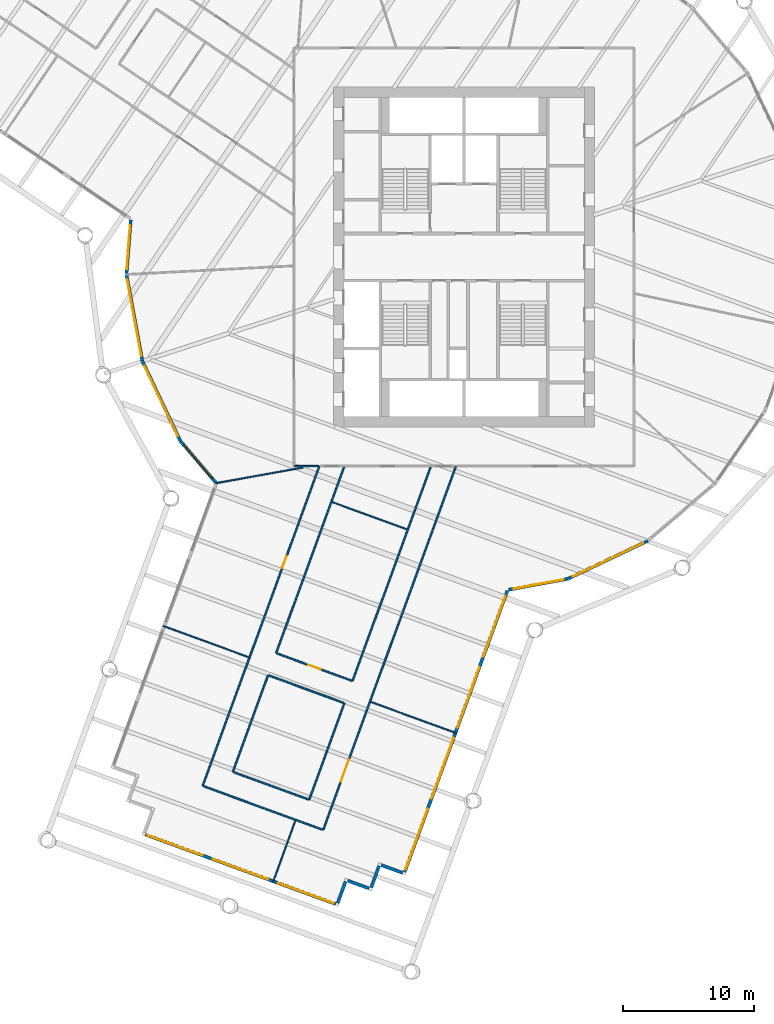
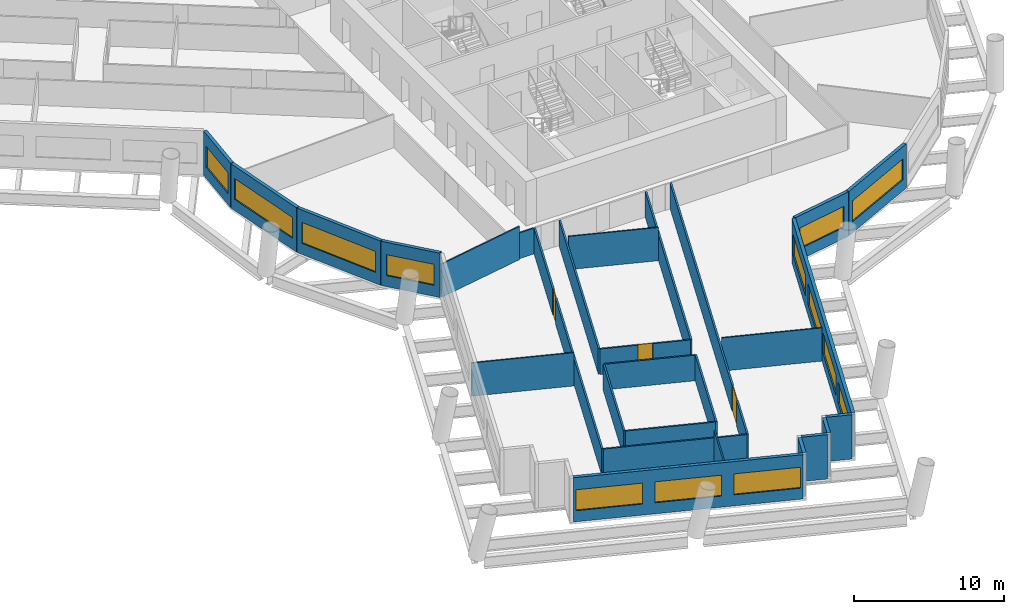
# One storey, part 3 of 13: 28 walls, 13 windows, 3 doors, 16 openings.
"""IFC4 building model written with IfcOpenShell, lengths in metres."""

from ifc_helpers import new_model, si_unit, direction, frame, frame_2d, origin, place, context, subcontext, project, spatial, rectangle, extrude, material, layer, layer_set, type_object, element, fill, save


model = new_model("IFC4")

# Units and contexts
model_context = context("Model", 3, precision=1e-05, world=origin(), true_north=direction((0.0, 1.0)))
body_context = subcontext(model_context, "Body", "Model", "MODEL_VIEW")
ifc_project = project(units=[si_unit("LENGTHUNIT", "METRE"), si_unit("AREAUNIT", "SQUARE_METRE"), si_unit("VOLUMEUNIT", "CUBIC_METRE"), si_unit("PLANEANGLEUNIT", "RADIAN"), si_unit("MASSUNIT", "GRAM", prefix="KILO")], contexts=[model_context])

# Site, building, storey
site_placement = place(None, origin())
site = spatial("IfcSite", under=ifc_project, at=site_placement, CompositionType="ELEMENT")
building_placement = place(site_placement, origin())
building = spatial("IfcBuilding", under=site, at=building_placement, Name="Tarsis Ring Headquarters", CompositionType="ELEMENT")
storey_placement = place(building_placement, frame((0.0, 0.0, 135.699951171875)))
storey = spatial("IfcBuildingStorey", under=building, at=storey_placement, Name="L31", CompositionType="ELEMENT", Elevation=135.699951171875)

# Walls
ifc_material_1 = material(Name="Gypsum board on steel studs", Category="steel")
ifc_layer_1 = layer(ifc_material_1, 0.10009765625)
ifc_layer_set_1 = layer_set([ifc_layer_1], Name="FL partition 100 unrated")
wall_type_1 = type_object("IfcWallType", Name="FL partition 100 unrated", PredefinedType="PARTITIONING", material=ifc_layer_set_1)
wall_1_placement = place(storey_placement, frame((-19.014892578125, -17.306884765625, 0.0), z_axis=(0.0, 0.0, 1.0), x_axis=(0.984225725022, 0.176917275031, 0.0)))
element("IfcWall", 1, at=wall_1_placement, inside=storey, type_object=wall_type_1, Name="Partition PW3", PredefinedType="PARTITIONING", context=body_context, shape_type="SweptSolid", body=[
    extrude(rectangle(XDim=6.8017578125, YDim=0.10009765625, at=frame_2d((3.40087890625, 0.0))), origin(), (0.0, 0.0, 1.0), 2.699951171875),
])
for number, where, z_axis, x_axis, name in (
    (2, (-23.02783203125, -28.2236328125, 0.0), (0.0, 0.0, 1.0), (0.939338511837, -0.342991487038, 0.0), "Partition PW3"),
    (3, (-7.12841796875, -34.0400390625, 0.0), (0.0, 0.0, 1.0), (0.939327226052, -0.343022393434, 0.0), "Partition PW3"),
):
    element("IfcWall", number, at=place(storey_placement, frame(where, z_axis=z_axis, x_axis=x_axis)), inside=storey, type_object=wall_type_1, Name=name, PredefinedType="PARTITIONING", context=body_context, shape_type="SweptSolid", body=[
        extrude(rectangle(XDim=6.969970703125, YDim=0.10009765625, at=frame_2d((3.48486328125, 0.0))), origin(), (0.0, 0.0, 1.0), 2.699951171875),
    ])
wall_2_placement = place(storey_placement, frame((-10.082763671875, -18.7490234375, 0.0), z_axis=(0.0, 0.0, 1.0), x_axis=(0.939335348052, -0.343000151458, 0.0)))
element("IfcWall", 4, at=wall_2_placement, inside=storey, type_object=wall_type_1, Name="Partition PW3", PredefinedType="PARTITIONING", context=body_context, shape_type="SweptSolid", body=[
    extrude(rectangle(XDim=6.080078125, YDim=0.10009765625, at=frame_2d((3.0400390625, 0.0))), origin(), (0.0, 0.0, 1.0), 2.699951171875),
])
wall_3_placement = place(storey_placement, frame((-14.625, -47.835693359375, 0.0), z_axis=(0.0, 0.0, 1.0), x_axis=(0.342998668221, 0.939335889657, 0.0)))
element("IfcWall", 5, at=wall_3_placement, inside=storey, type_object=wall_type_1, Name="Partition PW3", PredefinedType="PARTITIONING", context=body_context, shape_type="SweptSolid", body=[
    extrude(rectangle(XDim=5.01025390625, YDim=0.10009765625, at=frame_2d((2.505126953125, 0.0))), origin(), (0.0, 0.0, 1.0), 2.699951171875),
])

# Wall, opening, door
ifc_layer_2 = layer(ifc_material_1, 0.125)
ifc_layer_set_2 = layer_set([ifc_layer_2], Name="FL partition 125 EI 60 H2080")
wall_type_2 = type_object("IfcWallType", Name="FL partition 125 EI 60 H2080", PredefinedType="PARTITIONING", material=ifc_layer_set_2)
wall_4_placement = place(storey_placement, frame((-10.778564453125, -43.83203125, 0.0), z_axis=(0.0, 0.0, 1.0), x_axis=(0.343005063217, 0.939333554499, 0.0)))
wall_4 = element("IfcWall", 6, at=wall_4_placement, inside=storey, type_object=wall_type_2, Name="Partition PW1H208", PredefinedType="PARTITIONING", context=body_context, shape_type="SweptSolid", body=[
    extrude(rectangle(XDim=29.629638671875, YDim=0.125, at=frame_2d((14.81494140625, 0.0))), origin(), (0.0, 0.0, 1.0), 2.080078125),
])
opening_1_placement = place(wall_4_placement, frame((3.93505859375, 0.0, 0.0)))
opening_1 = element("IfcOpeningElement", 7, at=opening_1_placement, cuts=wall_4, Name="Opening D31.10", PredefinedType="OPENING", context=body_context, shape_type="SweptSolid", body=[
    extrude(rectangle(XDim=1.800048828125, YDim=2.10009765625, at=frame_2d((0.89990234375, 1.050048828125))), frame((0.0, 0.072509765625, 0.0), z_axis=(0.0, -1.0, 0.0), x_axis=(1.0, 0.0, 0.0)), (0.0, 0.0, 1.0), 0.14501953125),
])
ifc_material_2 = material(Name="Fire-rated timber door leaf in steel frame", Category="steel")
door_type_1 = type_object("IfcDoorType", Name="FL door FD60-1800", OperationType="DOUBLE_DOOR_SINGLE_SWING", PredefinedType="DOOR", material=ifc_material_2)
door_1_placement = place(opening_1_placement, origin())
door_1 = element("IfcDoor", 8, at=door_1_placement, inside=storey, type_object=door_type_1, Name="Door D31.10", OperationType="DOUBLE_DOOR_SINGLE_SWING", OverallHeight=2.10009765625, OverallWidth=1.800048828125, PredefinedType="DOOR", context=body_context, shape_type="SweptSolid", body=[
    extrude(rectangle(XDim=1.800048828125, YDim=2.10009765625, at=frame_2d((0.89990234375, 1.050048828125))), frame((0.0, 0.02490234375, 0.0), z_axis=(0.0, -1.0, 0.0), x_axis=(1.0, 0.0, 0.0)), (0.0, 0.0, 1.0), 0.050048828125),
])
fill(opening_1, door_1)

wall_5_placement = place(storey_placement, frame((-20.002685546875, -40.4638671875, 0.0), z_axis=(0.0, 0.0, 1.0), x_axis=(0.343002733315, 0.939334405278, 0.0)))
wall_5 = element("IfcWall", 9, at=wall_5_placement, inside=storey, type_object=wall_type_2, Name="Partition PW1H208", PredefinedType="PARTITIONING", context=body_context, shape_type="SweptSolid", body=[
    extrude(rectangle(XDim=26.0439453125, YDim=0.125, at=frame_2d((13.02197265625, 0.0))), origin(), (0.0, 0.0, 1.0), 2.080078125),
])
opening_2_placement = place(wall_5_placement, frame((17.75, 0.0, 0.0)))
opening_2 = element("IfcOpeningElement", 10, at=opening_2_placement, cuts=wall_5, Name="Opening D31.11", PredefinedType="OPENING", context=body_context, shape_type="SweptSolid", body=[
    extrude(rectangle(XDim=1.0, YDim=2.10009765625, at=frame_2d((0.5, 1.050048828125))), frame((0.0, 0.072509765625, 0.0), z_axis=(0.0, -1.0, 0.0), x_axis=(1.0, 0.0, 0.0)), (0.0, 0.0, 1.0), 0.14501953125),
])
door_type_2 = type_object("IfcDoorType", Name="FL door FD60-1000", OperationType="NOTDEFINED", PredefinedType="DOOR", material=ifc_material_2)
door_2_placement = place(opening_2_placement, origin())
door_2 = element("IfcDoor", 11, at=door_2_placement, inside=storey, type_object=door_type_2, Name="Door D31.11", OperationType="SINGLE_SWING_RIGHT", OverallHeight=2.10009765625, OverallWidth=1.0, PredefinedType="DOOR", context=body_context, shape_type="SweptSolid", body=[
    extrude(rectangle(XDim=1.0, YDim=2.10009765625, at=frame_2d((0.5, 1.050048828125))), frame((0.0, 0.02490234375, 0.0), z_axis=(0.0, -1.0, 0.0), x_axis=(1.0, 0.0, 0.0)), (0.0, 0.0, 1.0), 0.050048828125),
])
fill(opening_2, door_2)

# Walls
wall_6_placement = place(storey_placement, frame((-12.93994140625, -16.0, 0.0), z_axis=(0.0, 0.0, 1.0), x_axis=(1.0, 0.0, 0.0)))
element("IfcWall", 12, at=wall_6_placement, inside=storey, type_object=wall_type_2, Name="Partition PW1H208", PredefinedType="PARTITIONING", context=body_context, shape_type="SweptSolid", body=[
    extrude(rectangle(XDim=1.781005859375, YDim=0.125, at=frame_2d((0.890625, 0.0))), origin(), (0.0, 0.0, 1.0), 2.080078125),
])
wall_7_placement = place(storey_placement, frame((-8.534912109375, -32.4404296875, 0.0), z_axis=(0.0, 0.0, 1.0), x_axis=(0.343001798977, 0.939334746456, 0.0)))
element("IfcWall", 13, at=wall_7_placement, inside=storey, type_object=wall_type_2, Name="Partition PW1H208", PredefinedType="PARTITIONING", context=body_context, shape_type="SweptSolid", body=[
    extrude(rectangle(XDim=17.422119140625, YDim=0.125, at=frame_2d((8.7109375, 0.0))), origin(), (0.0, 0.0, 1.0), 2.080078125),
])
wall_8_placement = place(storey_placement, frame((-14.377685546875, -30.306884765625, 0.0), z_axis=(0.0, 0.0, 1.0), x_axis=(0.343002942465, 0.939334328906, 0.0)))
element("IfcWall", 14, at=wall_8_placement, inside=storey, type_object=wall_type_2, Name="Partition PW1H208", PredefinedType="PARTITIONING", context=body_context, shape_type="SweptSolid", body=[
    extrude(rectangle(XDim=15.15087890625, YDim=0.125, at=frame_2d((7.575439453125, 0.0))), origin(), (0.0, 0.0, 1.0), 2.080078125),
])
wall_9_placement = place(storey_placement, frame((-19.9462890625, -40.484375, 0.0), z_axis=(0.0, 0.0, 1.0), x_axis=(0.939334023134, -0.343003779836, 0.0)))
element("IfcWall", 15, at=wall_9_placement, inside=storey, type_object=wall_type_2, Name="Partition PW1H208", PredefinedType="PARTITIONING", context=body_context, shape_type="SweptSolid", body=[
    extrude(rectangle(XDim=9.699951171875, YDim=0.125, at=frame_2d((4.85009765625, 0.0))), origin(), (0.0, 0.0, 1.0), 2.080078125),
])
for number, where, z_axis, x_axis, name in (
    (16, (-11.851806640625, -41.52392578125, 0.0), (0.0, 0.0, 1.0), (0.34300558184, 0.939333365119, 0.0), "Partition PW1H208"),
    (17, (-17.694580078125, -39.390380859375, 0.0), (0.0, 0.0, 1.0), (0.34300558184, 0.939333365119, 0.0), "Partition PW1H208"),
):
    element("IfcWall", number, at=place(storey_placement, frame(where, z_axis=z_axis, x_axis=x_axis)), inside=storey, type_object=wall_type_2, Name=name, PredefinedType="PARTITIONING", context=body_context, shape_type="SweptSolid", body=[
        extrude(rectangle(XDim=7.8701171875, YDim=0.125, at=frame_2d((3.93505859375, 0.0))), origin(), (0.0, 0.0, 1.0), 2.080078125),
    ])
wall_10_placement = place(storey_placement, frame((-17.63818359375, -39.410888671875, 0.0), z_axis=(0.0, 0.0, 1.0), x_axis=(0.939323957507, -0.343031343834, 0.0)))
element("IfcWall", 18, at=wall_10_placement, inside=storey, type_object=wall_type_2, Name="Partition PW1H208", PredefinedType="PARTITIONING", context=body_context, shape_type="SweptSolid", body=[
    extrude(rectangle(XDim=6.10009765625, YDim=0.125, at=frame_2d((3.050048828125, 0.0))), origin(), (0.0, 0.0, 1.0), 2.080078125),
])

# Wall, opening, door
wall_11_placement = place(storey_placement, frame((-14.3212890625, -30.32763671875, 0.0), z_axis=(0.0, 0.0, 1.0), x_axis=(0.939336852916, -0.34299603023, 0.0)))
wall_11 = element("IfcWall", 19, at=wall_11_placement, inside=storey, type_object=wall_type_2, Name="Partition PW1H208", PredefinedType="PARTITIONING", context=body_context, shape_type="SweptSolid", body=[
    extrude(rectangle(XDim=6.10009765625, YDim=0.125, at=frame_2d((3.050048828125, 0.0))), origin(), (0.0, 0.0, 1.0), 2.080078125),
])
opening_3_placement = place(wall_11_placement, frame((2.550048828125, 0.0, 0.0)))
opening_3 = element("IfcOpeningElement", 20, at=opening_3_placement, cuts=wall_11, Name="Opening D31.17", PredefinedType="OPENING", context=body_context, shape_type="SweptSolid", body=[
    extrude(rectangle(XDim=1.0, YDim=2.10009765625, at=frame_2d((0.5, 1.050048828125))), frame((0.0, 0.072509765625, 0.0), z_axis=(0.0, -1.0, 0.0), x_axis=(1.0, 0.0, 0.0)), (0.0, 0.0, 1.0), 0.14501953125),
])
door_3_placement = place(opening_3_placement, origin())
door_3 = element("IfcDoor", 21, at=door_3_placement, inside=storey, type_object=door_type_2, Name="Door D31.17", OperationType="SINGLE_SWING_RIGHT", OverallHeight=2.10009765625, OverallWidth=1.0, PredefinedType="DOOR", context=body_context, shape_type="SweptSolid", body=[
    extrude(rectangle(XDim=1.0, YDim=2.10009765625, at=frame_2d((0.5, 1.050048828125))), frame((0.0, 0.02490234375, 0.0), z_axis=(0.0, -1.0, 0.0), x_axis=(1.0, 0.0, 0.0)), (0.0, 0.0, 1.0), 0.050048828125),
])
fill(opening_3, door_3)

# Wall
wall_12_placement = place(storey_placement, frame((-14.938720703125, -32.018310546875, 0.0), z_axis=(0.0, 0.0, 1.0), x_axis=(0.939336852916, -0.34299603023, 0.0)))
element("IfcWall", 22, at=wall_12_placement, inside=storey, type_object=wall_type_2, Name="Partition PW1H208", PredefinedType="PARTITIONING", context=body_context, shape_type="SweptSolid", body=[
    extrude(rectangle(XDim=6.10009765625, YDim=0.125, at=frame_2d((3.050048828125, 0.0))), origin(), (0.0, 0.0, 1.0), 2.080078125),
])

# Wall, opening, window
ifc_material_3 = material(Name="Terracotta clad insulated panel wall", Category="masonry")
ifc_layer_3 = layer(ifc_material_3, 0.25)
ifc_layer_set_3 = layer_set([ifc_layer_3], Name="Facade wall terracotta panel 250")
wall_type_3 = type_object("IfcWallType", Name="Facade wall terracotta panel 250", PredefinedType="STANDARD", material=ifc_layer_set_3)
wall_13_placement = place(storey_placement, frame((-25.508056640625, 2.833740234375, 0.0), z_axis=(0.0, 0.0, 1.0), x_axis=(-0.079507165101, -0.996834294503, 0.0)))
wall_13 = element("IfcWall", 23, at=wall_13_placement, inside=storey, type_object=wall_type_3, Name="External wall L31-02", PredefinedType="STANDARD", context=body_context, shape_type="SweptSolid", body=[
    extrude(rectangle(XDim=4.15771484375, YDim=0.25, at=frame_2d((2.078857421875, 0.0))), origin(), (0.0, 0.0, 1.0), 3.60009765625),
])
opening_4_placement = place(wall_13_placement, frame((0.420166015625, 0.0, 0.89990234375)))
opening_4 = element("IfcOpeningElement", 24, at=opening_4_placement, cuts=wall_13, Name="Opening WN01", PredefinedType="OPENING", context=body_context, shape_type="SweptSolid", body=[
    extrude(rectangle(XDim=3.35009765625, YDim=1.699951171875, at=frame_2d((1.675048828125, 0.85009765625))), frame((0.0, 0.135009765625, 0.0), z_axis=(0.0, -1.0, 0.0), x_axis=(1.0, 0.0, 0.0)), (0.0, 0.0, 1.0), 0.27001953125),
])
ifc_material_4 = material(Name="Aluminium framed double glazing", Category="aluminium")
window_type_1 = type_object("IfcWindowType", Name="Facade window 3350 x 1700", PartitioningType="SINGLE_PANEL", PredefinedType="WINDOW", material=ifc_material_4)
window_1_placement = place(opening_4_placement, origin())
window_1 = element("IfcWindow", 25, at=window_1_placement, inside=storey, type_object=window_type_1, Name="Window L31-02.1", OverallHeight=1.699951171875, OverallWidth=3.35009765625, PartitioningType="SINGLE_PANEL", PredefinedType="WINDOW", context=body_context, shape_type="SweptSolid", body=[
    extrude(rectangle(XDim=3.35009765625, YDim=1.699951171875, at=frame_2d((1.675048828125, 0.85009765625))), frame((0.0, 0.030029296875, 0.0), z_axis=(0.0, -1.0, 0.0), x_axis=(1.0, 0.0, 0.0)), (0.0, 0.0, 1.0), 0.06005859375),
])
fill(opening_4, window_1)

wall_14_placement = place(storey_placement, frame((-25.8369140625, -1.34326171875, 0.0), z_axis=(0.0, 0.0, 1.0), x_axis=(0.181208652393, -0.983444672718, 0.0)))
wall_14 = element("IfcWall", 26, at=wall_14_placement, inside=storey, type_object=wall_type_3, Name="External wall L31-03", PredefinedType="STANDARD", context=body_context, shape_type="SweptSolid", body=[
    extrude(rectangle(XDim=6.7216796875, YDim=0.25, at=frame_2d((3.36083984375, 0.0))), origin(), (0.0, 0.0, 1.0), 3.60009765625),
])
opening_5_placement = place(wall_14_placement, frame((0.3857421875, 0.0, 0.89990234375)))
opening_5 = element("IfcOpeningElement", 27, at=opening_5_placement, cuts=wall_14, Name="Opening WN07", PredefinedType="OPENING", context=body_context, shape_type="SweptSolid", body=[
    extrude(rectangle(XDim=5.949951171875, YDim=1.699951171875, at=frame_2d((2.97509765625, 0.85009765625))), frame((0.0, 0.135009765625, 0.0), z_axis=(0.0, -1.0, 0.0), x_axis=(1.0, 0.0, 0.0)), (0.0, 0.0, 1.0), 0.27001953125),
])
window_type_2 = type_object("IfcWindowType", Name="Facade window 5950 x 1700", PartitioningType="SINGLE_PANEL", PredefinedType="WINDOW", material=ifc_material_4)
window_2_placement = place(opening_5_placement, origin())
window_2 = element("IfcWindow", 28, at=window_2_placement, inside=storey, type_object=window_type_2, Name="Window L31-03.1", OverallHeight=1.699951171875, OverallWidth=5.949951171875, PartitioningType="SINGLE_PANEL", PredefinedType="WINDOW", context=body_context, shape_type="SweptSolid", body=[
    extrude(rectangle(XDim=5.949951171875, YDim=1.699951171875, at=frame_2d((2.97509765625, 0.85009765625))), frame((0.0, 0.030029296875, 0.0), z_axis=(0.0, -1.0, 0.0), x_axis=(1.0, 0.0, 0.0)), (0.0, 0.0, 1.0), 0.06005859375),
])
fill(opening_5, window_2)

wall_15_placement = place(storey_placement, frame((-24.60888671875, -7.984619140625, 0.0), z_axis=(0.0, 0.0, 1.0), x_axis=(0.429576842152, -0.903030307734, 0.0)))
wall_15 = element("IfcWall", 29, at=wall_15_placement, inside=storey, type_object=wall_type_3, Name="External wall L31-04", PredefinedType="STANDARD", context=body_context, shape_type="SweptSolid", body=[
    extrude(rectangle(XDim=6.7216796875, YDim=0.25, at=frame_2d((3.36083984375, 0.0))), origin(), (0.0, 0.0, 1.0), 3.60009765625),
])
opening_6_placement = place(wall_15_placement, frame((0.3857421875, 0.0, 0.89990234375)))
opening_6 = element("IfcOpeningElement", 30, at=opening_6_placement, cuts=wall_15, Name="Opening WN07", PredefinedType="OPENING", context=body_context, shape_type="SweptSolid", body=[
    extrude(rectangle(XDim=5.949951171875, YDim=1.699951171875, at=frame_2d((2.97509765625, 0.85009765625))), frame((0.0, 0.135009765625, 0.0), z_axis=(0.0, -1.0, 0.0), x_axis=(1.0, 0.0, 0.0)), (0.0, 0.0, 1.0), 0.27001953125),
])
window_3_placement = place(opening_6_placement, origin())
window_3 = element("IfcWindow", 31, at=window_3_placement, inside=storey, type_object=window_type_2, Name="Window L31-04.1", OverallHeight=1.699951171875, OverallWidth=5.949951171875, PartitioningType="SINGLE_PANEL", PredefinedType="WINDOW", context=body_context, shape_type="SweptSolid", body=[
    extrude(rectangle(XDim=5.949951171875, YDim=1.699951171875, at=frame_2d((2.97509765625, 0.85009765625))), frame((0.0, 0.030029296875, 0.0), z_axis=(0.0, -1.0, 0.0), x_axis=(1.0, 0.0, 0.0)), (0.0, 0.0, 1.0), 0.06005859375),
])
fill(opening_6, window_3)

wall_16_placement = place(storey_placement, frame((-21.703857421875, -14.081787109375, 0.0), z_axis=(0.0, 0.0, 1.0), x_axis=(0.648641623743, -0.761093978394, 0.0)))
wall_16 = element("IfcWall", 32, at=wall_16_placement, inside=storey, type_object=wall_type_3, Name="External wall L31-05", PredefinedType="STANDARD", context=body_context, shape_type="SweptSolid", body=[
    extrude(rectangle(XDim=4.157470703125, YDim=0.25, at=frame_2d((2.07861328125, 0.0))), origin(), (0.0, 0.0, 1.0), 3.60009765625),
])
opening_7_placement = place(wall_16_placement, frame((0.38720703125, 0.0, 0.89990234375)))
opening_7 = element("IfcOpeningElement", 33, at=opening_7_placement, cuts=wall_16, Name="Opening WN01", PredefinedType="OPENING", context=body_context, shape_type="SweptSolid", body=[
    extrude(rectangle(XDim=3.35009765625, YDim=1.699951171875, at=frame_2d((1.675048828125, 0.85009765625))), frame((0.0, 0.135009765625, 0.0), z_axis=(0.0, -1.0, 0.0), x_axis=(1.0, 0.0, 0.0)), (0.0, 0.0, 1.0), 0.27001953125),
])
window_4_placement = place(opening_7_placement, origin())
window_4 = element("IfcWindow", 34, at=window_4_placement, inside=storey, type_object=window_type_1, Name="Window L31-05.1", OverallHeight=1.699951171875, OverallWidth=3.35009765625, PartitioningType="SINGLE_PANEL", PredefinedType="WINDOW", context=body_context, shape_type="SweptSolid", body=[
    extrude(rectangle(XDim=3.35009765625, YDim=1.699951171875, at=frame_2d((1.675048828125, 0.85009765625))), frame((0.0, 0.030029296875, 0.0), z_axis=(0.0, -1.0, 0.0), x_axis=(1.0, 0.0, 0.0)), (0.0, 0.0, 1.0), 0.06005859375),
])
fill(opening_7, window_4)

# Wall, openings, windows
wall_17_placement = place(storey_placement, frame((-24.38720703125, -44.19091796875, 0.0), z_axis=(0.0, 0.0, 1.0), x_axis=(0.939333155454, -0.343006156016, 0.0)))
wall_17 = element("IfcWall", 35, at=wall_17_placement, inside=storey, type_object=wall_type_3, Name="External wall L31-11", PredefinedType="STANDARD", context=body_context, shape_type="SweptSolid", body=[
    extrude(rectangle(XDim=15.500244140625, YDim=0.25, at=frame_2d((7.75, 0.0))), origin(), (0.0, 0.0, 1.0), 3.60009765625),
])
opening_8_placement = place(wall_17_placement, frame((0.166748046875, 0.0, 0.89990234375)))
opening_8 = element("IfcOpeningElement", 36, at=opening_8_placement, cuts=wall_17, Name="Opening WN04", PredefinedType="OPENING", context=body_context, shape_type="SweptSolid", body=[
    extrude(rectangle(XDim=4.5, YDim=1.699951171875, at=frame_2d((2.25, 0.85009765625))), frame((0.0, 0.135009765625, 0.0), z_axis=(0.0, -1.0, 0.0), x_axis=(1.0, 0.0, 0.0)), (0.0, 0.0, 1.0), 0.27001953125),
])
opening_9_placement = place(wall_17_placement, frame((5.5, 0.0, 0.89990234375)))
opening_9 = element("IfcOpeningElement", 37, at=opening_9_placement, cuts=wall_17, Name="Opening WN04", PredefinedType="OPENING", context=body_context, shape_type="SweptSolid", body=[
    extrude(rectangle(XDim=4.5, YDim=1.699951171875, at=frame_2d((2.25, 0.85009765625))), frame((0.0, 0.135009765625, 0.0), z_axis=(0.0, -1.0, 0.0), x_axis=(1.0, 0.0, 0.0)), (0.0, 0.0, 1.0), 0.27001953125),
])
opening_10_placement = place(wall_17_placement, frame((10.833251953125, 0.0, 0.89990234375)))
opening_10 = element("IfcOpeningElement", 38, at=opening_10_placement, cuts=wall_17, Name="Opening WN04", PredefinedType="OPENING", context=body_context, shape_type="SweptSolid", body=[
    extrude(rectangle(XDim=4.5, YDim=1.699951171875, at=frame_2d((2.25, 0.85009765625))), frame((0.0, 0.135009765625, 0.0), z_axis=(0.0, -1.0, 0.0), x_axis=(1.0, 0.0, 0.0)), (0.0, 0.0, 1.0), 0.27001953125),
])
window_type_3 = type_object("IfcWindowType", Name="Facade window 4500 x 1700", PartitioningType="SINGLE_PANEL", PredefinedType="WINDOW", material=ifc_material_4)
window_5_placement = place(opening_8_placement, origin())
window_5 = element("IfcWindow", 39, at=window_5_placement, inside=storey, type_object=window_type_3, Name="Window L31-11.1", OverallHeight=1.699951171875, OverallWidth=4.5, PartitioningType="SINGLE_PANEL", PredefinedType="WINDOW", context=body_context, shape_type="SweptSolid", body=[
    extrude(rectangle(XDim=4.5, YDim=1.699951171875, at=frame_2d((2.25, 0.85009765625))), frame((0.0, 0.030029296875, 0.0), z_axis=(0.0, -1.0, 0.0), x_axis=(1.0, 0.0, 0.0)), (0.0, 0.0, 1.0), 0.06005859375),
])
fill(opening_8, window_5)
window_6_placement = place(opening_9_placement, origin())
window_6 = element("IfcWindow", 40, at=window_6_placement, inside=storey, type_object=window_type_3, Name="Window L31-11.2", OverallHeight=1.699951171875, OverallWidth=4.5, PartitioningType="SINGLE_PANEL", PredefinedType="WINDOW", context=body_context, shape_type="SweptSolid", body=[
    extrude(rectangle(XDim=4.5, YDim=1.699951171875, at=frame_2d((2.25, 0.85009765625))), frame((0.0, 0.030029296875, 0.0), z_axis=(0.0, -1.0, 0.0), x_axis=(1.0, 0.0, 0.0)), (0.0, 0.0, 1.0), 0.06005859375),
])
fill(opening_9, window_6)
window_7_placement = place(opening_10_placement, origin())
window_7 = element("IfcWindow", 41, at=window_7_placement, inside=storey, type_object=window_type_3, Name="Window L31-11.3", OverallHeight=1.699951171875, OverallWidth=4.5, PartitioningType="SINGLE_PANEL", PredefinedType="WINDOW", context=body_context, shape_type="SweptSolid", body=[
    extrude(rectangle(XDim=4.5, YDim=1.699951171875, at=frame_2d((2.25, 0.85009765625))), frame((0.0, 0.030029296875, 0.0), z_axis=(0.0, -1.0, 0.0), x_axis=(1.0, 0.0, 0.0)), (0.0, 0.0, 1.0), 0.06005859375),
])
fill(opening_10, window_7)

# Walls
wall_18_placement = place(storey_placement, frame((-9.667236328125, -49.43310546875, 0.0), z_axis=(0.0, 0.0, 1.0), x_axis=(0.343053303306, 0.939315937845, 0.0)))
element("IfcWall", 42, at=wall_18_placement, inside=storey, type_object=wall_type_3, Name="External wall L31-12", PredefinedType="STANDARD", context=body_context, shape_type="SweptSolid", body=[
    extrude(rectangle(XDim=1.75, YDim=0.25, at=frame_2d((0.875, 0.0))), origin(), (0.0, 0.0, 1.0), 3.60009765625),
])
for number, where, z_axis, x_axis, name in (
    (43, (-8.90673828125, -47.714599609375, 0.0), (0.0, 0.0, 1.0), (0.939332352847, -0.343008353972, 0.0), "External wall L31-13"),
    (44, (-7.1025390625, -48.240478515625, 0.0), (0.0, 0.0, 1.0), (0.343008353972, 0.939332352847, 0.0), "External wall L31-14"),
):
    element("IfcWall", number, at=place(storey_placement, frame(where, z_axis=z_axis, x_axis=x_axis)), inside=storey, type_object=wall_type_3, Name=name, PredefinedType="STANDARD", context=body_context, shape_type="SweptSolid", body=[
        extrude(rectangle(XDim=1.750244140625, YDim=0.25, at=frame_2d((0.875, 0.0))), origin(), (0.0, 0.0, 1.0), 3.60009765625),
    ])
wall_19_placement = place(storey_placement, frame((-6.342041015625, -46.52197265625, 0.0), z_axis=(0.0, 0.0, 1.0), x_axis=(0.939315937845, -0.343053303306, 0.0)))
element("IfcWall", 45, at=wall_19_placement, inside=storey, type_object=wall_type_3, Name="External wall L31-15", PredefinedType="STANDARD", context=body_context, shape_type="SweptSolid", body=[
    extrude(rectangle(XDim=1.75, YDim=0.25, at=frame_2d((0.875, 0.0))), origin(), (0.0, 0.0, 1.0), 3.60009765625),
])

# Wall, openings, windows
wall_20_placement = place(storey_placement, frame((-4.537841796875, -47.047607421875, 0.0), z_axis=(0.0, 0.0, 1.0), x_axis=(0.343003580978, 0.939334095749, 0.0)))
wall_20 = element("IfcWall", 46, at=wall_20_placement, inside=storey, type_object=wall_type_3, Name="External wall L31-16", PredefinedType="STANDARD", context=body_context, shape_type="SweptSolid", body=[
    extrude(rectangle(XDim=22.9013671875, YDim=0.25, at=frame_2d((11.45068359375, 0.0))), origin(), (0.0, 0.0, 1.0), 3.60009765625),
])
opening_11_placement = place(wall_20_placement, frame((0.1689453125, 0.0, 0.89990234375)))
opening_11 = element("IfcOpeningElement", 47, at=opening_11_placement, cuts=wall_20, Name="Opening WN05", PredefinedType="OPENING", context=body_context, shape_type="SweptSolid", body=[
    extrude(rectangle(XDim=4.949951171875, YDim=1.699951171875, at=frame_2d((2.47509765625, 0.85009765625))), frame((0.0, 0.135009765625, 0.0), z_axis=(0.0, -1.0, 0.0), x_axis=(1.0, 0.0, 0.0)), (0.0, 0.0, 1.0), 0.27001953125),
])
opening_12_placement = place(wall_20_placement, frame((5.956787109375, 0.0, 0.89990234375)))
opening_12 = element("IfcOpeningElement", 48, at=opening_12_placement, cuts=wall_20, Name="Opening WN05", PredefinedType="OPENING", context=body_context, shape_type="SweptSolid", body=[
    extrude(rectangle(XDim=4.949951171875, YDim=1.699951171875, at=frame_2d((2.47509765625, 0.85009765625))), frame((0.0, 0.135009765625, 0.0), z_axis=(0.0, -1.0, 0.0), x_axis=(1.0, 0.0, 0.0)), (0.0, 0.0, 1.0), 0.27001953125),
])
opening_13_placement = place(wall_20_placement, frame((11.74462890625, 0.0, 0.89990234375)))
opening_13 = element("IfcOpeningElement", 49, at=opening_13_placement, cuts=wall_20, Name="Opening WN05", PredefinedType="OPENING", context=body_context, shape_type="SweptSolid", body=[
    extrude(rectangle(XDim=4.949951171875, YDim=1.699951171875, at=frame_2d((2.47509765625, 0.85009765625))), frame((0.0, 0.135009765625, 0.0), z_axis=(0.0, -1.0, 0.0), x_axis=(1.0, 0.0, 0.0)), (0.0, 0.0, 1.0), 0.27001953125),
])
opening_14_placement = place(wall_20_placement, frame((17.532470703125, 0.0, 0.89990234375)))
opening_14 = element("IfcOpeningElement", 50, at=opening_14_placement, cuts=wall_20, Name="Opening WN05", PredefinedType="OPENING", context=body_context, shape_type="SweptSolid", body=[
    extrude(rectangle(XDim=4.949951171875, YDim=1.699951171875, at=frame_2d((2.47509765625, 0.85009765625))), frame((0.0, 0.135009765625, 0.0), z_axis=(0.0, -1.0, 0.0), x_axis=(1.0, 0.0, 0.0)), (0.0, 0.0, 1.0), 0.27001953125),
])
window_type_4 = type_object("IfcWindowType", Name="Facade window 4950 x 1700", PartitioningType="SINGLE_PANEL", PredefinedType="WINDOW", material=ifc_material_4)
window_8_placement = place(opening_11_placement, origin())
window_8 = element("IfcWindow", 51, at=window_8_placement, inside=storey, type_object=window_type_4, Name="Window L31-16.1", OverallHeight=1.699951171875, OverallWidth=4.949951171875, PartitioningType="SINGLE_PANEL", PredefinedType="WINDOW", context=body_context, shape_type="SweptSolid", body=[
    extrude(rectangle(XDim=4.949951171875, YDim=1.699951171875, at=frame_2d((2.47509765625, 0.85009765625))), frame((0.0, 0.030029296875, 0.0), z_axis=(0.0, -1.0, 0.0), x_axis=(1.0, 0.0, 0.0)), (0.0, 0.0, 1.0), 0.06005859375),
])
fill(opening_11, window_8)
window_9_placement = place(opening_12_placement, origin())
window_9 = element("IfcWindow", 52, at=window_9_placement, inside=storey, type_object=window_type_4, Name="Window L31-16.2", OverallHeight=1.699951171875, OverallWidth=4.949951171875, PartitioningType="SINGLE_PANEL", PredefinedType="WINDOW", context=body_context, shape_type="SweptSolid", body=[
    extrude(rectangle(XDim=4.949951171875, YDim=1.699951171875, at=frame_2d((2.47509765625, 0.85009765625))), frame((0.0, 0.030029296875, 0.0), z_axis=(0.0, -1.0, 0.0), x_axis=(1.0, 0.0, 0.0)), (0.0, 0.0, 1.0), 0.06005859375),
])
fill(opening_12, window_9)
window_10_placement = place(opening_13_placement, origin())
window_10 = element("IfcWindow", 53, at=window_10_placement, inside=storey, type_object=window_type_4, Name="Window L31-16.3", OverallHeight=1.699951171875, OverallWidth=4.949951171875, PartitioningType="SINGLE_PANEL", PredefinedType="WINDOW", context=body_context, shape_type="SweptSolid", body=[
    extrude(rectangle(XDim=4.949951171875, YDim=1.699951171875, at=frame_2d((2.47509765625, 0.85009765625))), frame((0.0, 0.030029296875, 0.0), z_axis=(0.0, -1.0, 0.0), x_axis=(1.0, 0.0, 0.0)), (0.0, 0.0, 1.0), 0.06005859375),
])
fill(opening_13, window_10)
window_11_placement = place(opening_14_placement, origin())
window_11 = element("IfcWindow", 54, at=window_11_placement, inside=storey, type_object=window_type_4, Name="Window L31-16.4", OverallHeight=1.699951171875, OverallWidth=4.949951171875, PartitioningType="SINGLE_PANEL", PredefinedType="WINDOW", context=body_context, shape_type="SweptSolid", body=[
    extrude(rectangle(XDim=4.949951171875, YDim=1.699951171875, at=frame_2d((2.47509765625, 0.85009765625))), frame((0.0, 0.030029296875, 0.0), z_axis=(0.0, -1.0, 0.0), x_axis=(1.0, 0.0, 0.0)), (0.0, 0.0, 1.0), 0.06005859375),
])
fill(opening_14, window_11)

# Wall, opening, window
wall_21_placement = place(storey_placement, frame((3.412109375, -25.45556640625, 0.0), z_axis=(0.0, 0.0, 1.0), x_axis=(0.983450213969, 0.181178576673, 0.0)))
wall_21 = element("IfcWall", 55, at=wall_21_placement, inside=storey, type_object=wall_type_3, Name="External wall L31-17", PredefinedType="STANDARD", context=body_context, shape_type="SweptSolid", body=[
    extrude(rectangle(XDim=4.617919921875, YDim=0.25, at=frame_2d((2.30908203125, 0.0))), origin(), (0.0, 0.0, 1.0), 3.60009765625),
])
opening_15_placement = place(wall_21_placement, frame((0.400390625, 0.0, 0.89990234375)))
opening_15 = element("IfcOpeningElement", 56, at=opening_15_placement, cuts=wall_21, Name="Opening WN02", PredefinedType="OPENING", context=body_context, shape_type="SweptSolid", body=[
    extrude(rectangle(XDim=3.85009765625, YDim=1.699951171875, at=frame_2d((1.925048828125, 0.85009765625))), frame((0.0, 0.135009765625, 0.0), z_axis=(0.0, -1.0, 0.0), x_axis=(1.0, 0.0, 0.0)), (0.0, 0.0, 1.0), 0.27001953125),
])
window_type_5 = type_object("IfcWindowType", Name="Facade window 3850 x 1700", PartitioningType="SINGLE_PANEL", PredefinedType="WINDOW", material=ifc_material_4)
window_12_placement = place(opening_15_placement, origin())
window_12 = element("IfcWindow", 57, at=window_12_placement, inside=storey, type_object=window_type_5, Name="Window L31-17.1", OverallHeight=1.699951171875, OverallWidth=3.85009765625, PartitioningType="SINGLE_PANEL", PredefinedType="WINDOW", context=body_context, shape_type="SweptSolid", body=[
    extrude(rectangle(XDim=3.85009765625, YDim=1.699951171875, at=frame_2d((1.925048828125, 0.85009765625))), frame((0.0, 0.030029296875, 0.0), z_axis=(0.0, -1.0, 0.0), x_axis=(1.0, 0.0, 0.0)), (0.0, 0.0, 1.0), 0.06005859375),
])
fill(opening_15, window_12)

wall_22_placement = place(storey_placement, frame((7.984619140625, -24.60888671875, 0.0), z_axis=(0.0, 0.0, 1.0), x_axis=(0.903030307734, 0.429576842152, 0.0)))
wall_22 = element("IfcWall", 58, at=wall_22_placement, inside=storey, type_object=wall_type_3, Name="External wall L31-18", PredefinedType="STANDARD", context=body_context, shape_type="SweptSolid", body=[
    extrude(rectangle(XDim=6.7216796875, YDim=0.25, at=frame_2d((3.36083984375, 0.0))), origin(), (0.0, 0.0, 1.0), 3.60009765625),
])
opening_16_placement = place(wall_22_placement, frame((0.3857421875, 0.0, 0.89990234375)))
opening_16 = element("IfcOpeningElement", 59, at=opening_16_placement, cuts=wall_22, Name="Opening WN07", PredefinedType="OPENING", context=body_context, shape_type="SweptSolid", body=[
    extrude(rectangle(XDim=5.949951171875, YDim=1.699951171875, at=frame_2d((2.97509765625, 0.85009765625))), frame((0.0, 0.135009765625, 0.0), z_axis=(0.0, -1.0, 0.0), x_axis=(1.0, 0.0, 0.0)), (0.0, 0.0, 1.0), 0.27001953125),
])
window_13_placement = place(opening_16_placement, origin())
window_13 = element("IfcWindow", 60, at=window_13_placement, inside=storey, type_object=window_type_2, Name="Window L31-18.1", OverallHeight=1.699951171875, OverallWidth=5.949951171875, PartitioningType="SINGLE_PANEL", PredefinedType="WINDOW", context=body_context, shape_type="SweptSolid", body=[
    extrude(rectangle(XDim=5.949951171875, YDim=1.699951171875, at=frame_2d((2.97509765625, 0.85009765625))), frame((0.0, 0.030029296875, 0.0), z_axis=(0.0, -1.0, 0.0), x_axis=(1.0, 0.0, 0.0)), (0.0, 0.0, 1.0), 0.06005859375),
])
fill(opening_16, window_13)

save(model, "model.ifc")
